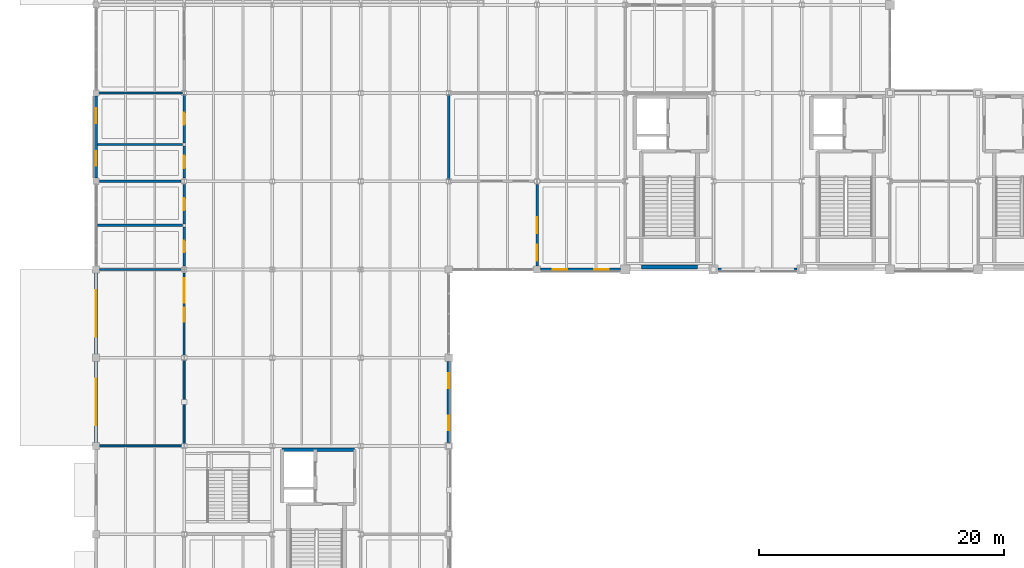
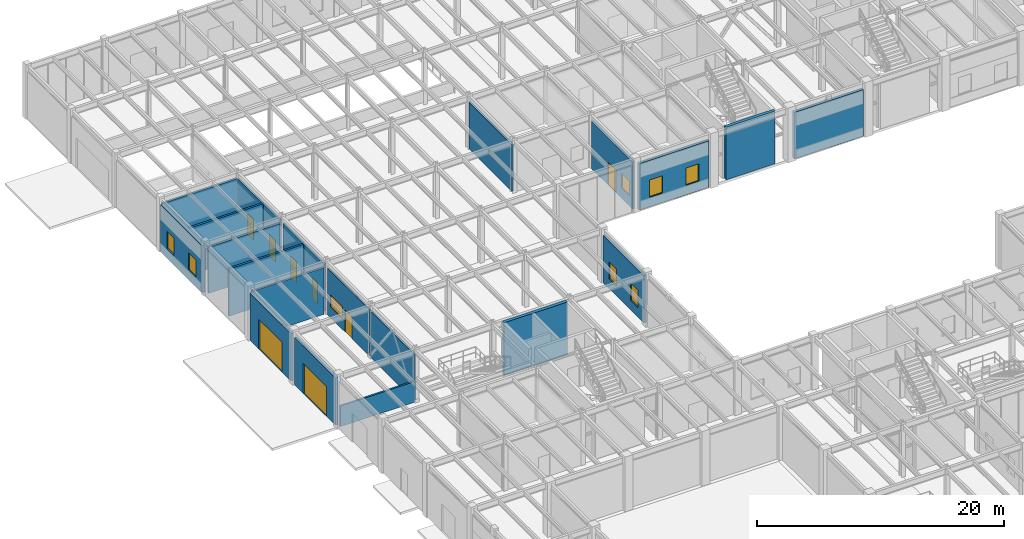
# One storey, part 39 of 97: 22 walls, 8 doors, 8 windows, 16 openings.
"""IFC4 building model written with IfcOpenShell, lengths in metres."""

from ifc_helpers import new_model, si_unit, direction, frame, frame_2d, origin, place, context, subcontext, project, spatial, rectangle, extrude, material, layer, layer_set, type_object, element, fill, save


model = new_model("IFC4")

# Units and contexts
model_context = context("Model", 3, precision=1e-05, world=origin(), true_north=direction((0.0, 1.0)))
body_context = subcontext(model_context, "Body", "Model", "MODEL_VIEW")
ifc_project = project(units=[si_unit("LENGTHUNIT", "METRE"), si_unit("AREAUNIT", "SQUARE_METRE"), si_unit("VOLUMEUNIT", "CUBIC_METRE"), si_unit("PLANEANGLEUNIT", "RADIAN"), si_unit("MASSUNIT", "GRAM", prefix="KILO")], contexts=[model_context])

# Site, building, storey
site_placement = place(None, origin())
site = spatial("IfcSite", under=ifc_project, at=site_placement, CompositionType="ELEMENT")
building_placement = place(site_placement, origin())
building = spatial("IfcBuilding", under=site, at=building_placement, Name="Sillqori Civic Hall", CompositionType="ELEMENT")
storey_placement = place(building_placement, origin())
storey = spatial("IfcBuildingStorey", under=building, at=storey_placement, Name="L01", CompositionType="ELEMENT", Elevation=0.0)

# Walls
ifc_material_1 = material(Name="Concrete C35/45 (H35)", Category="concrete")
ifc_layer_1 = layer(ifc_material_1, 0.300048828125)
ifc_layer_set_1 = layer_set([ifc_layer_1], Name="Concrete C35/45 (H35)")
wall_type_1 = type_object("IfcWallType", Name="CW-SHR-300", PredefinedType="SHEAR", material=ifc_layer_set_1)
wall_1_placement = place(storey_placement, frame((22.39990234375, 64.5, 0.0), z_axis=(0.0, 0.0, 1.0), x_axis=(1.0, 0.0, 0.0)))
element("IfcWall", 1, at=wall_1_placement, inside=storey, type_object=wall_type_1, Name="L01 C4 Core north shear wall", PredefinedType="SHEAR", context=body_context, shape_type="SweptSolid", body=[
    extrude(rectangle(XDim=5.920166015625, YDim=0.300048828125, at=frame_2d((2.9599609375, 0.0))), origin(), (0.0, 0.0, 1.0), 5.199951171875),
])
wall_2_placement = place(storey_placement, frame((51.7099609375, 79.39990234375, 0.0), z_axis=(0.0, 0.0, 1.0), x_axis=(1.0, 0.0, 0.0)))
element("IfcWall", 2, at=wall_2_placement, inside=storey, type_object=wall_type_1, Name="L01 C5 Stair south shear wall", PredefinedType="SHEAR", context=body_context, shape_type="SweptSolid", body=[
    extrude(rectangle(XDim=4.580078125, YDim=0.300048828125, at=frame_2d((2.2900390625, 0.0))), origin(), (0.0, 0.0, 1.0), 5.199951171875),
])

# Wall, openings, windows
ifc_material_2 = material(Name="Precast concrete C40/50 (H40)", Category="concrete")
ifc_layer_2 = layer(ifc_material_2, 0.280029296875)
ifc_layer_set_2 = layer_set([ifc_layer_2], Name="Precast concrete C40/50 (H40)")
wall_type_2 = type_object("IfcWallType", Name="EW-LIME-280", PredefinedType="SOLIDWALL", material=ifc_layer_set_2)
wall_3_placement = place(storey_placement, frame((7.199951171875, 86.64990234375, 0.0), z_axis=(0.0, 0.0, 1.0), x_axis=(0.0, 1.0, 0.0)))
wall_3 = element("IfcWall", 3, at=wall_3_placement, inside=storey, type_object=wall_type_2, Name="L01 V4 exterior wall L01-01-12-W", PredefinedType="SOLIDWALL", context=body_context, shape_type="SweptSolid", body=[
    extrude(rectangle(XDim=6.7001953125, YDim=0.280029296875, at=frame_2d((3.35009765625, 0.0))), origin(), (0.0, 0.0, 1.0), 4.6669921875),
])
opening_1_placement = place(wall_3_placement, frame((1.008056640625, 0.0, 0.949951171875)))
opening_1 = element("IfcOpeningElement", 4, at=opening_1_placement, cuts=wall_3, Name="Opening W-22", PredefinedType="OPENING", context=body_context, shape_type="SweptSolid", body=[
    extrude(rectangle(XDim=1.199951171875, YDim=1.699951171875, at=frame_2d((0.60009765625, 0.85009765625))), frame((0.0, 0.14990234375, 0.0), z_axis=(0.0, -1.0, 0.0), x_axis=(1.0, 0.0, 0.0)), (0.0, 0.0, 1.0), 0.300048828125),
])
opening_2_placement = place(wall_3_placement, frame((4.491943359375, 0.0, 0.949951171875)))
opening_2 = element("IfcOpeningElement", 5, at=opening_2_placement, cuts=wall_3, Name="Opening W-22", PredefinedType="OPENING", context=body_context, shape_type="SweptSolid", body=[
    extrude(rectangle(XDim=1.199951171875, YDim=1.699951171875, at=frame_2d((0.60009765625, 0.85009765625))), frame((0.0, 0.14990234375, 0.0), z_axis=(0.0, -1.0, 0.0), x_axis=(1.0, 0.0, 0.0)), (0.0, 0.0, 1.0), 0.300048828125),
])
ifc_material_3 = material(Name="Thermally Broken Aluminium Low-E Window", Category="aluminium")
window_type_1 = type_object("IfcWindowType", Name="WIN-V5-120X170", PartitioningType="SINGLE_PANEL", PredefinedType="WINDOW", material=ifc_material_3)
window_1_placement = place(opening_1_placement, origin())
window_1 = element("IfcWindow", 6, at=window_1_placement, inside=storey, type_object=window_type_1, Name="L01 V4 window L01-01-12-W.1", OverallHeight=1.699951171875, OverallWidth=1.199951171875, PartitioningType="SINGLE_PANEL", PredefinedType="WINDOW", context=body_context, shape_type="SweptSolid", body=[
    extrude(rectangle(XDim=1.199951171875, YDim=1.699951171875, at=frame_2d((0.60009765625, 0.85009765625))), frame((0.0, 0.030029296875, 0.0), z_axis=(0.0, -1.0, 0.0), x_axis=(1.0, 0.0, 0.0)), (0.0, 0.0, 1.0), 0.06005859375),
])
fill(opening_1, window_1)
window_2_placement = place(opening_2_placement, origin())
window_2 = element("IfcWindow", 7, at=window_2_placement, inside=storey, type_object=window_type_1, Name="L01 V4 window L01-01-12-W.2", OverallHeight=1.699951171875, OverallWidth=1.199951171875, PartitioningType="SINGLE_PANEL", PredefinedType="WINDOW", context=body_context, shape_type="SweptSolid", body=[
    extrude(rectangle(XDim=1.199951171875, YDim=1.699951171875, at=frame_2d((0.60009765625, 0.85009765625))), frame((0.0, 0.030029296875, 0.0), z_axis=(0.0, -1.0, 0.0), x_axis=(1.0, 0.0, 0.0)), (0.0, 0.0, 1.0), 0.06005859375),
])
fill(opening_2, window_2)

wall_4_placement = place(storey_placement, frame((50.02490234375, 79.199951171875, 0.0), z_axis=(0.0, 0.0, 1.0), x_axis=(-1.0, 0.0, 0.0)))
wall_4 = element("IfcWall", 8, at=wall_4_placement, inside=storey, type_object=wall_type_2, Name="L01 V4 exterior wall L01-06-11-S", PredefinedType="SOLIDWALL", context=body_context, shape_type="SweptSolid", body=[
    extrude(rectangle(XDim=6.52490234375, YDim=0.280029296875, at=frame_2d((3.262451171875, 0.0))), origin(), (0.0, 0.0, 1.0), 4.597900390625),
])
opening_3_placement = place(wall_4_placement, frame((0.966064453125, 0.0, 0.949951171875)))
opening_3 = element("IfcOpeningElement", 9, at=opening_3_placement, cuts=wall_4, Name="Opening W-22", PredefinedType="OPENING", context=body_context, shape_type="SweptSolid", body=[
    extrude(rectangle(XDim=1.199951171875, YDim=1.699951171875, at=frame_2d((0.60009765625, 0.85009765625))), frame((0.0, 0.14990234375, 0.0), z_axis=(0.0, -1.0, 0.0), x_axis=(1.0, 0.0, 0.0)), (0.0, 0.0, 1.0), 0.300048828125),
])
opening_4_placement = place(wall_4_placement, frame((4.35888671875, 0.0, 0.949951171875)))
opening_4 = element("IfcOpeningElement", 10, at=opening_4_placement, cuts=wall_4, Name="Opening W-22", PredefinedType="OPENING", context=body_context, shape_type="SweptSolid", body=[
    extrude(rectangle(XDim=1.199951171875, YDim=1.699951171875, at=frame_2d((0.60009765625, 0.85009765625))), frame((0.0, 0.14990234375, 0.0), z_axis=(0.0, -1.0, 0.0), x_axis=(1.0, 0.0, 0.0)), (0.0, 0.0, 1.0), 0.300048828125),
])
window_3_placement = place(opening_3_placement, origin())
window_3 = element("IfcWindow", 11, at=window_3_placement, inside=storey, type_object=window_type_1, Name="L01 V4 window L01-06-11-S.1", OverallHeight=1.699951171875, OverallWidth=1.199951171875, PartitioningType="SINGLE_PANEL", PredefinedType="WINDOW", context=body_context, shape_type="SweptSolid", body=[
    extrude(rectangle(XDim=1.199951171875, YDim=1.699951171875, at=frame_2d((0.60009765625, 0.85009765625))), frame((0.0, 0.030029296875, 0.0), z_axis=(0.0, -1.0, 0.0), x_axis=(1.0, 0.0, 0.0)), (0.0, 0.0, 1.0), 0.06005859375),
])
fill(opening_3, window_3)
window_4_placement = place(opening_4_placement, origin())
window_4 = element("IfcWindow", 12, at=window_4_placement, inside=storey, type_object=window_type_1, Name="L01 V4 window L01-06-11-S.2", OverallHeight=1.699951171875, OverallWidth=1.199951171875, PartitioningType="SINGLE_PANEL", PredefinedType="WINDOW", context=body_context, shape_type="SweptSolid", body=[
    extrude(rectangle(XDim=1.199951171875, YDim=1.699951171875, at=frame_2d((0.60009765625, 0.85009765625))), frame((0.0, 0.030029296875, 0.0), z_axis=(0.0, -1.0, 0.0), x_axis=(1.0, 0.0, 0.0)), (0.0, 0.0, 1.0), 0.06005859375),
])
fill(opening_4, window_4)

# Wall
wall_5_placement = place(storey_placement, frame((64.425048828125, 79.199951171875, 0.0), z_axis=(0.0, 0.0, 1.0), x_axis=(-1.0, 0.0, 0.0)))
element("IfcWall", 13, at=wall_5_placement, inside=storey, type_object=wall_type_2, Name="L01 V4 exterior wall L01-08-11-S", PredefinedType="SOLIDWALL", context=body_context, shape_type="SweptSolid", body=[
    extrude(rectangle(XDim=6.449951171875, YDim=0.280029296875, at=frame_2d((3.22509765625, 0.0))), origin(), (0.0, 0.0, 1.0), 4.597900390625),
])

# Wall, opening, door
ifc_material_4 = material(Name="Concrete C30/37 (H30)", Category="concrete")
ifc_layer_3 = layer(ifc_material_4, 0.260009765625)
ifc_layer_set_3 = layer_set([ifc_layer_3], Name="Concrete C30/37 (H30)")
wall_type_3 = type_object("IfcWallType", Name="EW-MAS-260", PredefinedType="SOLIDWALL", material=ifc_layer_set_3)
wall_6_placement = place(storey_placement, frame((7.199951171875, 65.10009765625, 0.0), z_axis=(0.0, 0.0, 1.0), x_axis=(0.0, 1.0, 0.0)))
wall_6 = element("IfcWall", 14, at=wall_6_placement, inside=storey, type_object=wall_type_3, Name="L01 V5 exterior wall L01-01-09-W", PredefinedType="SOLIDWALL", context=body_context, shape_type="SweptSolid", body=[
    extrude(rectangle(XDim=6.599853515625, YDim=0.260009765625, at=frame_2d((3.2998046875, 0.0))), origin(), (0.0, 0.0, 1.0), 4.6669921875),
])
opening_5_placement = place(wall_6_placement, frame((1.39990234375, 0.0, 0.0)))
opening_5 = element("IfcOpeningElement", 15, at=opening_5_placement, cuts=wall_6, Name="Opening DG-03", PredefinedType="OPENING", context=body_context, shape_type="SweptSolid", body=[
    extrude(rectangle(XDim=3.800048828125, YDim=2.949951171875, at=frame_2d((1.89990234375, 1.47509765625))), frame((0.0, 0.139892578125, 0.0), z_axis=(0.0, -1.0, 0.0), x_axis=(1.0, 0.0, 0.0)), (0.0, 0.0, 1.0), 0.280029296875),
])
ifc_material_5 = material(Name="Galvanized Insulated Steel", Category="steel")
door_type_1 = type_object("IfcDoorType", Name="GAT-DOCK-380X420", OperationType="NOTDEFINED", PredefinedType="GATE", material=ifc_material_5)
door_1_placement = place(opening_5_placement, origin())
door_1 = element("IfcDoor", 16, at=door_1_placement, inside=storey, type_object=door_type_1, Name="Loading Dock Berth 01 Shutter", OperationType="ROLLINGUP", OverallHeight=2.949951171875, OverallWidth=3.800048828125, PredefinedType="GATE", context=body_context, shape_type="SweptSolid", body=[
    extrude(rectangle(XDim=3.800048828125, YDim=2.949951171875, at=frame_2d((1.89990234375, 1.47509765625))), frame((0.0, 0.02490234375, 0.0), z_axis=(0.0, -1.0, 0.0), x_axis=(1.0, 0.0, 0.0)), (0.0, 0.0, 1.0), 0.050048828125),
])
fill(opening_5, door_1)

wall_7_placement = place(storey_placement, frame((7.199951171875, 72.300048828125, 0.0), z_axis=(0.0, 0.0, 1.0), x_axis=(0.0, 1.0, 0.0)))
wall_7 = element("IfcWall", 17, at=wall_7_placement, inside=storey, type_object=wall_type_3, Name="L01 V5 exterior wall L01-01-10-W", PredefinedType="SOLIDWALL", context=body_context, shape_type="SweptSolid", body=[
    extrude(rectangle(XDim=6.599853515625, YDim=0.260009765625, at=frame_2d((3.2998046875, 0.0))), origin(), (0.0, 0.0, 1.0), 4.6669921875),
])
opening_6_placement = place(wall_7_placement, frame((1.39990234375, 0.0, 0.0)))
opening_6 = element("IfcOpeningElement", 18, at=opening_6_placement, cuts=wall_7, Name="Opening DG-03", PredefinedType="OPENING", context=body_context, shape_type="SweptSolid", body=[
    extrude(rectangle(XDim=3.800048828125, YDim=2.949951171875, at=frame_2d((1.89990234375, 1.47509765625))), frame((0.0, 0.139892578125, 0.0), z_axis=(0.0, -1.0, 0.0), x_axis=(1.0, 0.0, 0.0)), (0.0, 0.0, 1.0), 0.280029296875),
])
door_2_placement = place(opening_6_placement, origin())
door_2 = element("IfcDoor", 19, at=door_2_placement, inside=storey, type_object=door_type_1, Name="Loading Dock Berth 02 Shutter", OperationType="ROLLINGUP", OverallHeight=2.949951171875, OverallWidth=3.800048828125, PredefinedType="GATE", context=body_context, shape_type="SweptSolid", body=[
    extrude(rectangle(XDim=3.800048828125, YDim=2.949951171875, at=frame_2d((1.89990234375, 1.47509765625))), frame((0.0, 0.02490234375, 0.0), z_axis=(0.0, -1.0, 0.0), x_axis=(1.0, 0.0, 0.0)), (0.0, 0.0, 1.0), 0.050048828125),
])
fill(opening_6, door_2)

# Wall, openings, windows
wall_8_placement = place(storey_placement, frame((36.0, 71.699951171875, 0.0), z_axis=(0.0, 0.0, 1.0), x_axis=(0.0, -1.0, 0.0)))
wall_8 = element("IfcWall", 20, at=wall_8_placement, inside=storey, type_object=wall_type_3, Name="L01 V5 exterior wall L01-04-09-E", PredefinedType="SOLIDWALL", context=body_context, shape_type="SweptSolid", body=[
    extrude(rectangle(XDim=6.599853515625, YDim=0.260009765625, at=frame_2d((3.2998046875, 0.0))), origin(), (0.0, 0.0, 1.0), 4.6669921875),
])
opening_7_placement = place(wall_8_placement, frame((0.98388671875, 0.0, 0.949951171875)))
opening_7 = element("IfcOpeningElement", 21, at=opening_7_placement, cuts=wall_8, Name="Opening W-22", PredefinedType="OPENING", context=body_context, shape_type="SweptSolid", body=[
    extrude(rectangle(XDim=1.199951171875, YDim=1.699951171875, at=frame_2d((0.60009765625, 0.85009765625))), frame((0.0, 0.139892578125, 0.0), z_axis=(0.0, -1.0, 0.0), x_axis=(1.0, 0.0, 0.0)), (0.0, 0.0, 1.0), 0.280029296875),
])
opening_8_placement = place(wall_8_placement, frame((4.416015625, 0.0, 0.949951171875)))
opening_8 = element("IfcOpeningElement", 22, at=opening_8_placement, cuts=wall_8, Name="Opening W-22", PredefinedType="OPENING", context=body_context, shape_type="SweptSolid", body=[
    extrude(rectangle(XDim=1.199951171875, YDim=1.699951171875, at=frame_2d((0.60009765625, 0.85009765625))), frame((0.0, 0.139892578125, 0.0), z_axis=(0.0, -1.0, 0.0), x_axis=(1.0, 0.0, 0.0)), (0.0, 0.0, 1.0), 0.280029296875),
])
window_5_placement = place(opening_7_placement, origin())
window_5 = element("IfcWindow", 23, at=window_5_placement, inside=storey, type_object=window_type_1, Name="L01 V5 window L01-04-09-E.1", OverallHeight=1.699951171875, OverallWidth=1.199951171875, PartitioningType="SINGLE_PANEL", PredefinedType="WINDOW", context=body_context, shape_type="SweptSolid", body=[
    extrude(rectangle(XDim=1.199951171875, YDim=1.699951171875, at=frame_2d((0.60009765625, 0.85009765625))), frame((0.0, 0.030029296875, 0.0), z_axis=(0.0, -1.0, 0.0), x_axis=(1.0, 0.0, 0.0)), (0.0, 0.0, 1.0), 0.06005859375),
])
fill(opening_7, window_5)
window_6_placement = place(opening_8_placement, origin())
window_6 = element("IfcWindow", 24, at=window_6_placement, inside=storey, type_object=window_type_1, Name="L01 V5 window L01-04-09-E.2", OverallHeight=1.699951171875, OverallWidth=1.199951171875, PartitioningType="SINGLE_PANEL", PredefinedType="WINDOW", context=body_context, shape_type="SweptSolid", body=[
    extrude(rectangle(XDim=1.199951171875, YDim=1.699951171875, at=frame_2d((0.60009765625, 0.85009765625))), frame((0.0, 0.030029296875, 0.0), z_axis=(0.0, -1.0, 0.0), x_axis=(1.0, 0.0, 0.0)), (0.0, 0.0, 1.0), 0.06005859375),
])
fill(opening_8, window_6)

# Walls
ifc_material_6 = material(Name="Hearing Acoustic Partition 158", Category="gypsum")
ifc_layer_4 = layer(ifc_material_6, 0.157958984375)
ifc_layer_set_4 = layer_set([ifc_layer_4], Name="Hearing Acoustic Partition 158")
wall_type_4 = type_object("IfcWallType", Name="PT-GYP-158", PredefinedType="PARTITIONING", material=ifc_layer_set_4)
wall_9_placement = place(storey_placement, frame((14.280029296875, 64.800048828125, 0.0), z_axis=(0.0, 0.0, 1.0), x_axis=(-1.0, 0.0, 0.0)))
element("IfcWall", 25, at=wall_9_placement, inside=storey, type_object=wall_type_4, Name="Truck Loading Dock and Goods Receiving Hall partition S1", PredefinedType="PARTITIONING", context=body_context, shape_type="SweptSolid", body=[
    extrude(rectangle(XDim=6.9599609375, YDim=0.157958984375, at=frame_2d((3.47998046875, 0.0))), origin(), (0.0, 0.0, 1.0), 2.034912109375),
])
wall_10_placement = place(storey_placement, frame((7.47998046875, 79.199951171875, 0.0), z_axis=(0.0, 0.0, 1.0), x_axis=(1.0, 0.0, 0.0)))
element("IfcWall", 26, at=wall_10_placement, inside=storey, type_object=wall_type_4, Name="Truck Loading Dock and Goods Receiving Hall partition N2", PredefinedType="PARTITIONING", context=body_context, shape_type="SweptSolid", body=[
    extrude(rectangle(XDim=6.64013671875, YDim=0.157958984375, at=frame_2d((3.320068359375, 0.0))), origin(), (0.0, 0.0, 1.0), 4.587890625),
])
wall_11_placement = place(storey_placement, frame((14.39990234375, 71.8798828125, 0.0), z_axis=(0.0, 0.0, 1.0), x_axis=(0.0, -1.0, 0.0)))
element("IfcWall", 27, at=wall_11_placement, inside=storey, type_object=wall_type_4, Name="Truck Loading Dock and Goods Receiving Hall partition E3", PredefinedType="PARTITIONING", context=body_context, shape_type="SweptSolid", body=[
    extrude(rectangle(XDim=6.9599609375, YDim=0.157958984375, at=frame_2d((3.47998046875, 0.0))), origin(), (0.0, 0.0, 1.0), 4.587890625),
])

# Wall, openings, door, window
wall_12_placement = place(storey_placement, frame((14.39990234375, 78.919921875, 0.0), z_axis=(0.0, 0.0, 1.0), x_axis=(0.0, -1.0, 0.0)))
wall_12 = element("IfcWall", 28, at=wall_12_placement, inside=storey, type_object=wall_type_4, Name="Truck Loading Dock and Goods Receiving Hall partition E4", PredefinedType="PARTITIONING", context=body_context, shape_type="SweptSolid", body=[
    extrude(rectangle(XDim=6.7998046875, YDim=0.157958984375, at=frame_2d((3.39990234375, 0.0))), origin(), (0.0, 0.0, 1.0), 4.587890625),
])
opening_9_placement = place(wall_12_placement, frame((2.830078125, 0.0, 0.0)))
opening_9 = element("IfcOpeningElement", 29, at=opening_9_placement, cuts=wall_12, Name="Opening ID-27", PredefinedType="OPENING", context=body_context, shape_type="SweptSolid", body=[
    extrude(rectangle(XDim=1.139892578125, YDim=2.179931640625, at=frame_2d((0.56982421875, 1.08984375))), frame((0.0, 0.0888671875, 0.0), z_axis=(0.0, -1.0, 0.0), x_axis=(1.0, 0.0, 0.0)), (0.0, 0.0, 1.0), 0.177978515625),
])
opening_10_placement = place(wall_12_placement, frame((0.449951171875, 0.0, 1.050048828125)))
opening_10 = element("IfcOpeningElement", 30, at=opening_10_placement, cuts=wall_12, Name="Opening IW-02", PredefinedType="OPENING", context=body_context, shape_type="SweptSolid", body=[
    extrude(rectangle(XDim=2.0, YDim=1.199951171875, at=frame_2d((1.0, 0.60009765625))), frame((0.0, 0.0888671875, 0.0), z_axis=(0.0, -1.0, 0.0), x_axis=(1.0, 0.0, 0.0)), (0.0, 0.0, 1.0), 0.177978515625),
])
ifc_material_7 = material(Name="Directorate Cedar Door 1140", Category="timber")
door_type_2 = type_object("IfcDoorType", Name="IDR-DIR-114X218", OperationType="NOTDEFINED", PredefinedType="DOOR", material=ifc_material_7)
door_3_placement = place(opening_9_placement, origin())
door_3 = element("IfcDoor", 31, at=door_3_placement, inside=storey, type_object=door_type_2, Name="Truck Loading Dock and Goods Receiving Hall entrance door", OperationType="SINGLE_SWING_RIGHT", OverallHeight=2.179931640625, OverallWidth=1.139892578125, PredefinedType="DOOR", context=body_context, shape_type="SweptSolid", body=[
    extrude(rectangle(XDim=1.139892578125, YDim=2.179931640625, at=frame_2d((0.56982421875, 1.08984375))), frame((0.0, 0.02490234375, 0.0), z_axis=(0.0, -1.0, 0.0), x_axis=(1.0, 0.0, 0.0)), (0.0, 0.0, 1.0), 0.050048828125),
])
fill(opening_9, door_3)
ifc_material_8 = material(Name="Acoustic Laminated Interior Clerestory Glazing", Category="glass")
window_type_2 = type_object("IfcWindowType", Name="IWN-OFF-200X120", PartitioningType="SINGLE_PANEL", PredefinedType="WINDOW", material=ifc_material_8)
window_7_placement = place(opening_10_placement, origin())
window_7 = element("IfcWindow", 32, at=window_7_placement, inside=storey, type_object=window_type_2, Name="Truck Loading Dock and Goods Receiving Hall borrowed-light screen", OverallHeight=1.199951171875, OverallWidth=2.0, PartitioningType="SINGLE_PANEL", PredefinedType="WINDOW", context=body_context, shape_type="SweptSolid", body=[
    extrude(rectangle(XDim=2.0, YDim=1.199951171875, at=frame_2d((1.0, 0.60009765625))), frame((0.0, 0.030029296875, 0.0), z_axis=(0.0, -1.0, 0.0), x_axis=(1.0, 0.0, 0.0)), (0.0, 0.0, 1.0), 0.06005859375),
])
fill(opening_10, window_7)

# Wall, opening, door
ifc_material_9 = material(Name="Concrete C25/30 (H25)", Category="concrete")
ifc_layer_5 = layer(ifc_material_9, 0.18994140625)
ifc_layer_set_5 = layer_set([ifc_layer_5], Name="Concrete C25/30 (H25)")
wall_type_5 = type_object("IfcWallType", Name="PT-MAS-190", PredefinedType="PARTITIONING", material=ifc_layer_set_5)
wall_13_placement = place(storey_placement, frame((14.39990234375, 82.679931640625, 0.0), z_axis=(0.0, 0.0, 1.0), x_axis=(0.0, -1.0, 0.0)))
wall_13 = element("IfcWall", 33, at=wall_13_placement, inside=storey, type_object=wall_type_5, Name="L01 Public Male WC partition E1", PredefinedType="PARTITIONING", context=body_context, shape_type="SweptSolid", body=[
    extrude(rectangle(XDim=3.199951171875, YDim=0.18994140625, at=frame_2d((1.60009765625, 0.0))), origin(), (0.0, 0.0, 1.0), 4.656982421875),
])
opening_11_placement = place(wall_13_placement, frame((1.139892578125, 0.0, 0.0)))
opening_11 = element("IfcOpeningElement", 34, at=opening_11_placement, cuts=wall_13, Name="Opening ID-19", PredefinedType="OPENING", context=body_context, shape_type="SweptSolid", body=[
    extrude(rectangle(XDim=0.919921875, YDim=2.10009765625, at=frame_2d((0.4599609375, 1.050048828125))), frame((0.0, 0.10498046875, 0.0), z_axis=(0.0, -1.0, 0.0), x_axis=(1.0, 0.0, 0.0)), (0.0, 0.0, 1.0), 0.2099609375),
])
ifc_material_10 = material(Name="Moisture-Resistant Sanitary Door 920", Category="timber")
door_type_3 = type_object("IfcDoorType", Name="IDR-WC-092X210", OperationType="NOTDEFINED", PredefinedType="DOOR", material=ifc_material_10)
door_4_placement = place(opening_11_placement, origin())
door_4 = element("IfcDoor", 35, at=door_4_placement, inside=storey, type_object=door_type_3, Name="L01 Public Male WC entrance door", OperationType="SINGLE_SWING_LEFT", OverallHeight=2.10009765625, OverallWidth=0.919921875, PredefinedType="DOOR", context=body_context, shape_type="SweptSolid", body=[
    extrude(rectangle(XDim=0.919921875, YDim=2.10009765625, at=frame_2d((0.4599609375, 1.050048828125))), frame((0.0, 0.02490234375, 0.0), z_axis=(0.0, -1.0, 0.0), x_axis=(1.0, 0.0, 0.0)), (0.0, 0.0, 1.0), 0.050048828125),
])
fill(opening_11, door_4)

# Wall
wall_14_placement = place(storey_placement, frame((7.320068359375, 82.800048828125, 0.0), z_axis=(0.0, 0.0, 1.0), x_axis=(1.0, 0.0, 0.0)))
element("IfcWall", 36, at=wall_14_placement, inside=storey, type_object=wall_type_5, Name="L01 Public Male WC partition N3", PredefinedType="PARTITIONING", context=body_context, shape_type="SweptSolid", body=[
    extrude(rectangle(XDim=6.9599609375, YDim=0.18994140625, at=frame_2d((3.47998046875, 0.0))), origin(), (0.0, 0.0, 1.0), 4.656982421875),
])

# Wall, opening, door
wall_15_placement = place(storey_placement, frame((14.39990234375, 86.1201171875, 0.0), z_axis=(0.0, 0.0, 1.0), x_axis=(0.0, -1.0, 0.0)))
wall_15 = element("IfcWall", 37, at=wall_15_placement, inside=storey, type_object=wall_type_5, Name="L01 Public Female WC partition E1", PredefinedType="PARTITIONING", context=body_context, shape_type="SweptSolid", body=[
    extrude(rectangle(XDim=3.2001953125, YDim=0.18994140625, at=frame_2d((1.60009765625, 0.0))), origin(), (0.0, 0.0, 1.0), 4.656982421875),
])
opening_12_placement = place(wall_15_placement, frame((1.1201171875, 0.0, 0.0)))
opening_12 = element("IfcOpeningElement", 38, at=opening_12_placement, cuts=wall_15, Name="Opening ID-20", PredefinedType="OPENING", context=body_context, shape_type="SweptSolid", body=[
    extrude(rectangle(XDim=0.9599609375, YDim=2.10009765625, at=frame_2d((0.47998046875, 1.050048828125))), frame((0.0, 0.10498046875, 0.0), z_axis=(0.0, -1.0, 0.0), x_axis=(1.0, 0.0, 0.0)), (0.0, 0.0, 1.0), 0.2099609375),
])
ifc_material_11 = material(Name="Moisture-Resistant Sanitary Door 960", Category="timber")
door_type_4 = type_object("IfcDoorType", Name="IDR-WC-096X210", OperationType="NOTDEFINED", PredefinedType="DOOR", material=ifc_material_11)
door_5_placement = place(opening_12_placement, origin())
door_5 = element("IfcDoor", 39, at=door_5_placement, inside=storey, type_object=door_type_4, Name="L01 Public Female WC entrance door", OperationType="SINGLE_SWING_RIGHT", OverallHeight=2.10009765625, OverallWidth=0.9599609375, PredefinedType="DOOR", context=body_context, shape_type="SweptSolid", body=[
    extrude(rectangle(XDim=0.9599609375, YDim=2.10009765625, at=frame_2d((0.47998046875, 1.050048828125))), frame((0.0, 0.02490234375, 0.0), z_axis=(0.0, -1.0, 0.0), x_axis=(1.0, 0.0, 0.0)), (0.0, 0.0, 1.0), 0.050048828125),
])
fill(opening_12, door_5)

# Wall
wall_16_placement = place(storey_placement, frame((7.47998046875, 86.39990234375, 0.0), z_axis=(0.0, 0.0, 1.0), x_axis=(1.0, 0.0, 0.0)))
element("IfcWall", 40, at=wall_16_placement, inside=storey, type_object=wall_type_5, Name="L01 Public Female WC partition N3", PredefinedType="PARTITIONING", context=body_context, shape_type="SweptSolid", body=[
    extrude(rectangle(XDim=6.64013671875, YDim=0.18994140625, at=frame_2d((3.320068359375, 0.0))), origin(), (0.0, 0.0, 1.0), 4.587890625),
])

# Wall, opening, door
wall_17_placement = place(storey_placement, frame((14.39990234375, 89.280029296875, 0.0), z_axis=(0.0, 0.0, 1.0), x_axis=(0.0, -1.0, 0.0)))
wall_17 = element("IfcWall", 41, at=wall_17_placement, inside=storey, type_object=wall_type_5, Name="L01 Accessible WC partition E1", PredefinedType="PARTITIONING", context=body_context, shape_type="SweptSolid", body=[
    extrude(rectangle(XDim=2.60009765625, YDim=0.18994140625, at=frame_2d((1.300048828125, 0.0))), origin(), (0.0, 0.0, 1.0), 4.656982421875),
])
opening_13_placement = place(wall_17_placement, frame((0.7900390625, 0.0, 0.0)))
opening_13 = element("IfcOpeningElement", 42, at=opening_13_placement, cuts=wall_17, Name="Opening ID-21", PredefinedType="OPENING", context=body_context, shape_type="SweptSolid", body=[
    extrude(rectangle(XDim=1.02001953125, YDim=2.14990234375, at=frame_2d((0.510009765625, 1.074951171875))), frame((0.0, 0.10498046875, 0.0), z_axis=(0.0, -1.0, 0.0), x_axis=(1.0, 0.0, 0.0)), (0.0, 0.0, 1.0), 0.2099609375),
])
ifc_material_12 = material(Name="Accessible WC Outward-Clear Door", Category="timber")
door_type_5 = type_object("IfcDoorType", Name="IDR-AWC-102X215", OperationType="NOTDEFINED", PredefinedType="DOOR", material=ifc_material_12)
door_6_placement = place(opening_13_placement, origin())
door_6 = element("IfcDoor", 43, at=door_6_placement, inside=storey, type_object=door_type_5, Name="L01 Accessible WC entrance door", OperationType="SINGLE_SWING_LEFT", OverallHeight=2.14990234375, OverallWidth=1.02001953125, PredefinedType="DOOR", context=body_context, shape_type="SweptSolid", body=[
    extrude(rectangle(XDim=1.02001953125, YDim=2.14990234375, at=frame_2d((0.510009765625, 1.074951171875))), frame((0.0, 0.02490234375, 0.0), z_axis=(0.0, -1.0, 0.0), x_axis=(1.0, 0.0, 0.0)), (0.0, 0.0, 1.0), 0.050048828125),
])
fill(opening_13, door_6)

# Wall
wall_18_placement = place(storey_placement, frame((7.320068359375, 89.39990234375, 0.0), z_axis=(0.0, 0.0, 1.0), x_axis=(1.0, 0.0, 0.0)))
element("IfcWall", 44, at=wall_18_placement, inside=storey, type_object=wall_type_5, Name="L01 Accessible WC partition N3", PredefinedType="PARTITIONING", context=body_context, shape_type="SweptSolid", body=[
    extrude(rectangle(XDim=6.9599609375, YDim=0.18994140625, at=frame_2d((3.47998046875, 0.0))), origin(), (0.0, 0.0, 1.0), 4.656982421875),
])

# Wall, opening, door
wall_19_placement = place(storey_placement, frame((14.39990234375, 93.47998046875, 0.0), z_axis=(0.0, 0.0, 1.0), x_axis=(0.0, -1.0, 0.0)))
wall_19 = element("IfcWall", 45, at=wall_19_placement, inside=storey, type_object=wall_type_5, Name="L01 Staff Sanitary and Cleaners Room partition E1", PredefinedType="PARTITIONING", context=body_context, shape_type="SweptSolid", body=[
    extrude(rectangle(XDim=3.9599609375, YDim=0.18994140625, at=frame_2d((1.97998046875, 0.0))), origin(), (0.0, 0.0, 1.0), 4.587890625),
])
opening_14_placement = place(wall_19_placement, frame((1.5, 0.0, 0.0)))
opening_14 = element("IfcOpeningElement", 46, at=opening_14_placement, cuts=wall_19, Name="Opening ID-20", PredefinedType="OPENING", context=body_context, shape_type="SweptSolid", body=[
    extrude(rectangle(XDim=0.9599609375, YDim=2.10009765625, at=frame_2d((0.47998046875, 1.050048828125))), frame((0.0, 0.10498046875, 0.0), z_axis=(0.0, -1.0, 0.0), x_axis=(1.0, 0.0, 0.0)), (0.0, 0.0, 1.0), 0.2099609375),
])
door_7_placement = place(opening_14_placement, origin())
door_7 = element("IfcDoor", 47, at=door_7_placement, inside=storey, type_object=door_type_4, Name="L01 Staff Sanitary and Cleaners Room entrance door", OperationType="SINGLE_SWING_RIGHT", OverallHeight=2.10009765625, OverallWidth=0.9599609375, PredefinedType="DOOR", context=body_context, shape_type="SweptSolid", body=[
    extrude(rectangle(XDim=0.9599609375, YDim=2.10009765625, at=frame_2d((0.47998046875, 1.050048828125))), frame((0.0, 0.02490234375, 0.0), z_axis=(0.0, -1.0, 0.0), x_axis=(1.0, 0.0, 0.0)), (0.0, 0.0, 1.0), 0.050048828125),
])
fill(opening_14, door_7)

# Walls
for number, where, z_axis, x_axis, name in (
    (48, (7.320068359375, 93.60009765625, 0.0), (0.0, 0.0, 1.0), (1.0, 0.0, 0.0), "L01 Staff Sanitary and Cleaners Room partition N3"),
    (49, (36.0, 86.52001953125, 0.0), (0.0, 0.0, 1.0), (0.0, 1.0, 0.0), "Business Licensing Intake Hall partition W3"),
):
    element("IfcWall", number, at=place(storey_placement, frame(where, z_axis=z_axis, x_axis=x_axis)), inside=storey, type_object=wall_type_5, Name=name, PredefinedType="PARTITIONING", context=body_context, shape_type="SweptSolid", body=[
        extrude(rectangle(XDim=6.9599609375, YDim=0.18994140625, at=frame_2d((3.47998046875, 0.0))), origin(), (0.0, 0.0, 1.0), 4.587890625),
    ])

# Wall, openings, door, window
ifc_layer_6 = layer(ifc_material_9, 0.205078125)
ifc_layer_set_6 = layer_set([ifc_layer_6], Name="Concrete C25/30 (H25)")
wall_type_6 = type_object("IfcWallType", Name="PT-MAS-205", PredefinedType="PARTITIONING", material=ifc_layer_set_6)
wall_20_placement = place(storey_placement, frame((43.199951171875, 79.47998046875, 0.0), z_axis=(0.0, 0.0, 1.0), x_axis=(0.0, 1.0, 0.0)))
wall_20 = element("IfcWall", 50, at=wall_20_placement, inside=storey, type_object=wall_type_6, Name="Social Services Citizen Advisory Suite partition W1", PredefinedType="PARTITIONING", context=body_context, shape_type="SweptSolid", body=[
    extrude(rectangle(XDim=6.64013671875, YDim=0.205078125, at=frame_2d((3.320068359375, 0.0))), origin(), (0.0, 0.0, 1.0), 4.656982421875),
])
opening_15_placement = place(wall_20_placement, frame((2.659912109375, 0.0, 0.0)))
opening_15 = element("IfcOpeningElement", 51, at=opening_15_placement, cuts=wall_20, Name="Opening ID-32", PredefinedType="OPENING", context=body_context, shape_type="SweptSolid", body=[
    extrude(rectangle(XDim=1.320068359375, YDim=2.239990234375, at=frame_2d((0.66015625, 1.1201171875))), frame((0.0, 0.112548828125, 0.0), z_axis=(0.0, -1.0, 0.0), x_axis=(1.0, 0.0, 0.0)), (0.0, 0.0, 1.0), 0.22509765625),
])
opening_16_placement = place(wall_20_placement, frame((0.449951171875, 0.0, 1.050048828125)))
opening_16 = element("IfcOpeningElement", 52, at=opening_16_placement, cuts=wall_20, Name="Opening IW-47", PredefinedType="OPENING", context=body_context, shape_type="SweptSolid", body=[
    extrude(rectangle(XDim=1.280029296875, YDim=1.43994140625, at=frame_2d((0.64013671875, 0.719970703125))), frame((0.0, 0.112548828125, 0.0), z_axis=(0.0, -1.0, 0.0), x_axis=(1.0, 0.0, 0.0)), (0.0, 0.0, 1.0), 0.22509765625),
])
ifc_material_13 = material(Name="Cadastre Studio Door 1320", Category="timber")
door_type_6 = type_object("IfcDoorType", Name="IDR-DIR-132X224", OperationType="NOTDEFINED", PredefinedType="DOOR", material=ifc_material_13)
door_8_placement = place(opening_15_placement, origin())
door_8 = element("IfcDoor", 53, at=door_8_placement, inside=storey, type_object=door_type_6, Name="Social Services Citizen Advisory Suite entrance door", OperationType="SINGLE_SWING_LEFT", OverallHeight=2.239990234375, OverallWidth=1.320068359375, PredefinedType="DOOR", context=body_context, shape_type="SweptSolid", body=[
    extrude(rectangle(XDim=1.320068359375, YDim=2.239990234375, at=frame_2d((0.66015625, 1.1201171875))), frame((0.0, 0.02490234375, 0.0), z_axis=(0.0, -1.0, 0.0), x_axis=(1.0, 0.0, 0.0)), (0.0, 0.0, 1.0), 0.050048828125),
])
fill(opening_15, door_8)
window_type_3 = type_object("IfcWindowType", Name="IWN-GAL-128X144", PartitioningType="SINGLE_PANEL", PredefinedType="WINDOW", material=ifc_material_8)
window_8_placement = place(opening_16_placement, origin())
window_8 = element("IfcWindow", 54, at=window_8_placement, inside=storey, type_object=window_type_3, Name="Social Services Citizen Advisory Suite borrowed-light screen", OverallHeight=1.43994140625, OverallWidth=1.280029296875, PartitioningType="SINGLE_PANEL", PredefinedType="WINDOW", context=body_context, shape_type="SweptSolid", body=[
    extrude(rectangle(XDim=1.280029296875, YDim=1.43994140625, at=frame_2d((0.64013671875, 0.719970703125))), frame((0.0, 0.030029296875, 0.0), z_axis=(0.0, -1.0, 0.0), x_axis=(1.0, 0.0, 0.0)), (0.0, 0.0, 1.0), 0.06005859375),
])
fill(opening_16, window_8)

save(model, "model.ifc")
